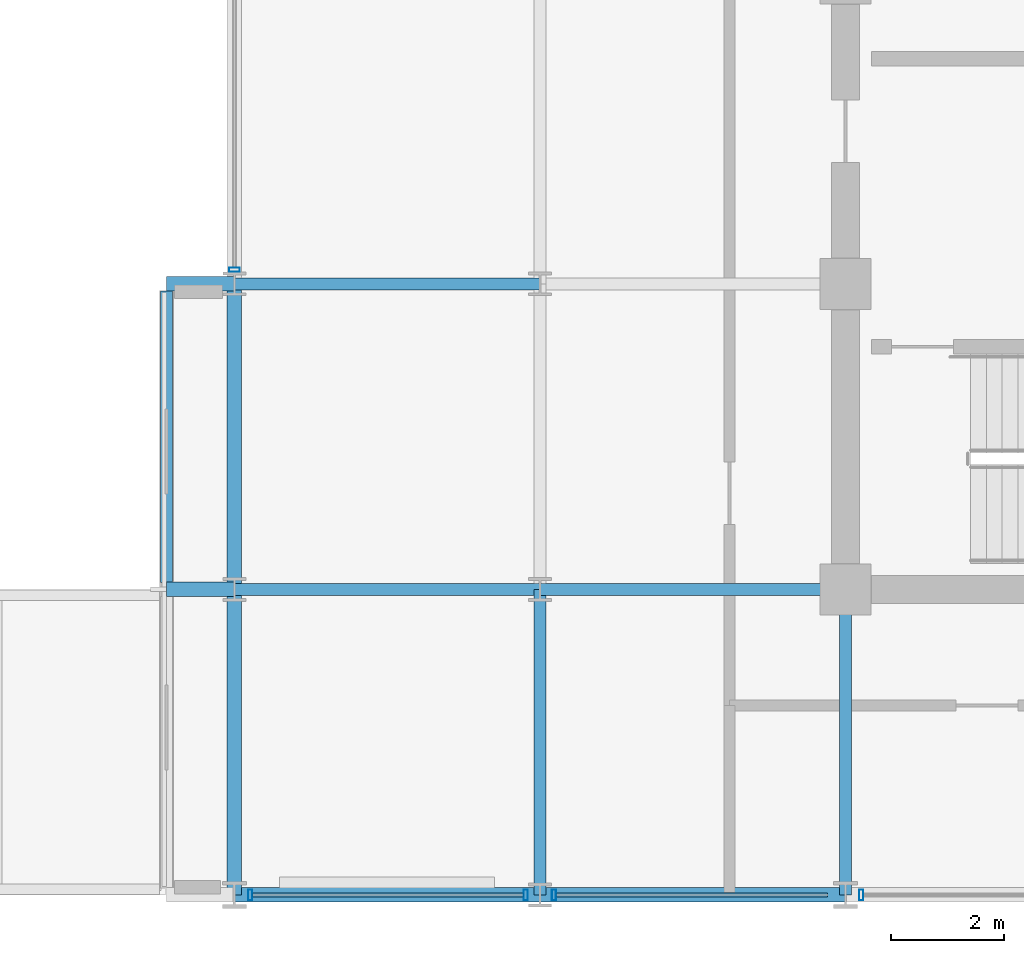
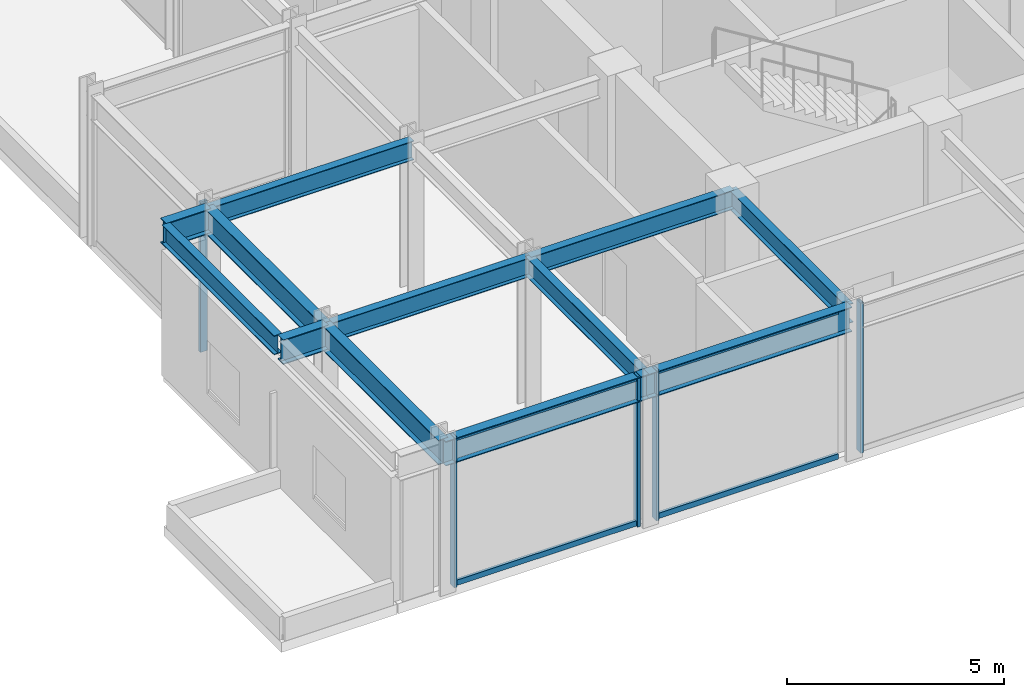
# One storey, part 2 of 21: 12 beams, 9 members, 3 elements without a shape of their own.
"""IFC4 building model written with IfcOpenShell, lengths in metres."""

from ifc_helpers import new_model, si_unit, direction, frame, origin, origin_2d, place, context, subcontext, project, spatial, hollow_rectangle, i_section, extrude, material, layer, layer_set, material_profile, profile_set, type_object, element, aggregate, save


model = new_model("IFC4")

# Units and contexts
model_context = context("Model", 3, precision=1e-05, world=origin(), true_north=direction((0.0, 1.0)))
body_context = subcontext(model_context, "Body", "Model", "MODEL_VIEW")
ifc_project = project(units=[si_unit("LENGTHUNIT", "METRE"), si_unit("AREAUNIT", "SQUARE_METRE"), si_unit("VOLUMEUNIT", "CUBIC_METRE"), si_unit("PLANEANGLEUNIT", "RADIAN"), si_unit("MASSUNIT", "GRAM", prefix="KILO")], contexts=[model_context])

# Site, building, storey
site_placement = place(None, origin())
site = spatial("IfcSite", under=ifc_project, at=site_placement, CompositionType="ELEMENT")
building_placement = place(site_placement, origin())
building = spatial("IfcBuilding", under=site, at=building_placement, Name="Surkhivell Harbour Commons", CompositionType="ELEMENT")
storey_placement = place(building_placement, frame((0.0, 0.0, 346.5)))
storey = spatial("IfcBuildingStorey", under=building, at=storey_placement, Name="L90", CompositionType="ELEMENT", Elevation=346.5)

# Beams
ifc_material_1 = material(Name="Steel S460", Category="steel")
ifc_material_profile_1 = material_profile(ifc_material_1, i_section(OverallWidth=0.256103515625, OverallDepth=0.693115234375, WebThickness=0.014404296875, FlangeThickness=0.023681640625, at=origin_2d()), Name="UB686x254x170")
ifc_profile_set_1 = profile_set([ifc_material_profile_1], Name="Steel S460")
beam_type_1 = type_object("IfcBeamType", Name="BM-CNT-686", PredefinedType="BEAM", material=ifc_profile_set_1)
for number, where, z_axis, x_axis, name in (
    (1, (-21.60009765625, -10.800048828125, 3.87353515625), (-1.0, 0.0, 0.0), (0.0, -1.0, 0.0), "L90 Box Cantilever Outrigger (-21.6,-10.8)"),
    (2, (-21.60009765625, -5.39990234375, 3.87353515625), (-1.0, 0.0, 0.0), (0.0, -1.0, 0.0), "L90 Box Cantilever Outrigger (-21.6,-5.4)"),
):
    element("IfcBeam", number, at=place(storey_placement, frame(where, z_axis=z_axis, x_axis=x_axis)), inside=storey, type_object=beam_type_1, Name=name, PredefinedType="BEAM", context=body_context, shape_type="SweptSolid", body=[
        extrude(i_section(OverallWidth=0.256103515625, OverallDepth=0.693115234375, WebThickness=0.014404296875, FlangeThickness=0.023681640625, at=origin_2d()), origin(), (0.0, 0.0, 1.0), 1.199951171875),
    ])
ifc_material_2 = material(Name="Steel S355", Category="steel")
ifc_material_profile_2 = material_profile(ifc_material_2, i_section(OverallWidth=0.2099609375, OverallDepth=0.537109375, WebThickness=0.0107421875, FlangeThickness=0.017333984375, at=origin_2d()), Name="UB533x210x101")
ifc_profile_set_2 = profile_set([ifc_material_profile_2], Name="Steel S355")
beam_type_2 = type_object("IfcBeamType", Name="BM-GRD-533B", PredefinedType="BEAM", material=ifc_profile_set_2)
for number, where, z_axis, x_axis, name in (
    (3, (-21.60009765625, -10.800048828125, 3.951416015625), (1.0, 0.0, 0.0), (0.0, 1.0, 0.0), "L90 Floor Girder (-21.6,-10.8)"),
    (4, (-21.60009765625, -5.39990234375, 3.951416015625), (1.0, 0.0, 0.0), (0.0, 1.0, 0.0), "L90 Floor Girder (-21.6,-5.4)"),
):
    element("IfcBeam", number, at=place(storey_placement, frame(where, z_axis=z_axis, x_axis=x_axis)), inside=storey, type_object=beam_type_2, Name=name, PredefinedType="BEAM", context=body_context, shape_type="SweptSolid", body=[
        extrude(i_section(OverallWidth=0.2099609375, OverallDepth=0.537109375, WebThickness=0.0107421875, FlangeThickness=0.017333984375, at=origin_2d()), origin(), (0.0, 0.0, 1.0), 5.400146484375),
    ])
for number, where, z_axis, x_axis, name in (
    (5, (-16.199951171875, -16.199951171875, 3.951416015625), (0.0, 1.0, 0.0), (-1.0, 0.0, 0.0), "L90 Floor Girder (-16.2,-16.2)"),
    (6, (-16.199951171875, -10.800048828125, 3.951416015625), (1.0, 0.0, 0.0), (0.0, 1.0, 0.0), "L90 Floor Girder (-16.2,-10.8)"),
    (7, (-10.800048828125, -16.199951171875, 3.951416015625), (0.0, 1.0, 0.0), (-1.0, 0.0, 0.0), "L90 Floor Girder (-10.8,-16.2)"),
):
    element("IfcBeam", number, at=place(storey_placement, frame(where, z_axis=z_axis, x_axis=x_axis)), inside=storey, type_object=beam_type_2, Name=name, PredefinedType="BEAM", context=body_context, shape_type="SweptSolid", body=[
        extrude(i_section(OverallWidth=0.2099609375, OverallDepth=0.537109375, WebThickness=0.0107421875, FlangeThickness=0.017333984375, at=origin_2d()), origin(), (0.0, 0.0, 1.0), 5.39990234375),
    ])
beam_1_placement = place(storey_placement, frame((-22.800048828125, -10.677978515625, 3.951416015625), z_axis=(0.0, 1.0, 0.0), x_axis=(-1.0, 0.0, 0.0)))
element("IfcBeam", 8, at=beam_1_placement, inside=storey, type_object=beam_type_2, Name="L90 Box Rim Spandrel (-22.8,-10.8)", PredefinedType="BEAM", context=body_context, shape_type="SweptSolid", body=[
    extrude(i_section(OverallWidth=0.2099609375, OverallDepth=0.537109375, WebThickness=0.0107421875, FlangeThickness=0.017333984375, at=origin_2d()), origin(), (0.0, 0.0, 1.0), 5.156005859375),
])
ifc_material_profile_3 = material_profile(ifc_material_2, i_section(OverallWidth=0.256103515625, OverallDepth=0.693115234375, WebThickness=0.014404296875, FlangeThickness=0.023681640625, at=origin_2d()), Name="UB686x254x170")
ifc_profile_set_3 = profile_set([ifc_material_profile_3], Name="Steel S355")
beam_type_3 = type_object("IfcBeamType", Name="BM-SPN-686", PredefinedType="SPANDREL", material=ifc_profile_set_3)
beam_2_placement = place(storey_placement, frame((-21.60009765625, -16.199951171875, 3.87353515625), z_axis=(0.0, 1.0, 0.0), x_axis=(-1.0, 0.0, 0.0)))
element("IfcBeam", 9, at=beam_2_placement, inside=storey, type_object=beam_type_3, Name="L90 Tube Spandrel (-21.6,-16.2)", PredefinedType="SPANDREL", context=body_context, shape_type="SweptSolid", body=[
    extrude(i_section(OverallWidth=0.256103515625, OverallDepth=0.693115234375, WebThickness=0.014404296875, FlangeThickness=0.023681640625, at=origin_2d()), origin(), (0.0, 0.0, 1.0), 5.39990234375),
])
for number, where, z_axis, x_axis, name in (
    (10, (-21.60009765625, -16.199951171875, 3.87353515625), (1.0, 0.0, 0.0), (0.0, 1.0, 0.0), "L90 Tube Spandrel (-21.6,-16.2)"),
    (11, (-21.60009765625, -10.800048828125, 3.87353515625), (0.0, 1.0, 0.0), (-1.0, 0.0, 0.0), "L90 Tube Spandrel (-21.6,-10.8)"),
):
    element("IfcBeam", number, at=place(storey_placement, frame(where, z_axis=z_axis, x_axis=x_axis)), inside=storey, type_object=beam_type_3, Name=name, PredefinedType="SPANDREL", context=body_context, shape_type="SweptSolid", body=[
        extrude(i_section(OverallWidth=0.256103515625, OverallDepth=0.693115234375, WebThickness=0.014404296875, FlangeThickness=0.023681640625, at=origin_2d()), origin(), (0.0, 0.0, 1.0), 5.400146484375),
    ])
beam_3_placement = place(storey_placement, frame((-16.199951171875, -16.199951171875, 3.87353515625), z_axis=(1.0, 0.0, 0.0), x_axis=(0.0, 1.0, 0.0)))
element("IfcBeam", 12, at=beam_3_placement, inside=storey, type_object=beam_type_3, Name="L90 Tube Spandrel (-16.2,-16.2)", PredefinedType="SPANDREL", context=body_context, shape_type="SweptSolid", body=[
    extrude(i_section(OverallWidth=0.256103515625, OverallDepth=0.693115234375, WebThickness=0.014404296875, FlangeThickness=0.023681640625, at=origin_2d()), origin(), (0.0, 0.0, 1.0), 5.39990234375),
])

# Curtain wall, member
ifc_material_3 = material(Name="Anodised pale-metal aluminium and insulated glazing", Category="aluminium")
ifc_layer = layer(ifc_material_3, 0.22998046875)
ifc_layer_set = layer_set([ifc_layer], Name="Anodised pale-metal aluminium and insulated glazing")
curtain_wall_type = type_object("IfcCurtainWallType", Name="CW-SYS-CRN", PredefinedType="NOTDEFINED", material=ifc_layer_set)
curtain_wall_1_placement = place(storey_placement, origin())
curtain_wall_1 = element("IfcCurtainWall", 13, at=curtain_wall_1_placement, inside=storey, type_object=curtain_wall_type, Name="L90 Curtain Wall CW-L90-C04S1", PredefinedType="NOTDEFINED")
ifc_material_4 = material(Name="Anodised pale-metal aluminium alloy 6063-T6", Category="aluminium")
ifc_material_profile_4 = material_profile(ifc_material_4, hollow_rectangle(XDim=0.074951171875, YDim=0.18994140625, WallThickness=0.00390625, at=origin_2d()), Name="ALU-MULL-75x190")
ifc_profile_set_4 = profile_set([ifc_material_profile_4], Name="Anodised pale-metal aluminium alloy 6063-T6")
member_type_1 = type_object("IfcMemberType", Name="CWM-190", PredefinedType="MULLION", material=ifc_profile_set_4)
member_1_placement = place(storey_placement, frame((-21.60009765625, -5.150390625, 0.0), z_axis=(0.0, 0.0, 1.0), x_axis=(0.0, -1.0, 0.0)))
member_1 = element("IfcMember", 14, at=member_1_placement, type_object=member_type_1, Name="CW-CRN mullion 2", PredefinedType="MULLION", context=body_context, shape_type="SweptSolid", body=[
    extrude(hollow_rectangle(XDim=0.074951171875, YDim=0.18994140625, WallThickness=0.00390625, at=origin_2d()), origin(), (0.0, 0.0, 1.0), 4.219970703125),
])
aggregate(curtain_wall_1, [member_1])

# Curtain wall, members
curtain_wall_2_placement = place(storey_placement, origin())
curtain_wall_2 = element("IfcCurtainWall", 15, at=curtain_wall_2_placement, inside=storey, type_object=curtain_wall_type, Name="L90 Curtain Wall CW-L90-C05", PredefinedType="NOTDEFINED")
member_2_placement = place(storey_placement, frame((-21.320556640625, -16.199951171875, 0.0), z_axis=(0.0, 0.0, 1.0), x_axis=(1.0, 0.0, 0.0)))
member_2 = element("IfcMember", 16, at=member_2_placement, type_object=member_type_1, Name="CW-CRN mullion 1", PredefinedType="MULLION", context=body_context, shape_type="SweptSolid", body=[
    extrude(hollow_rectangle(XDim=0.074951171875, YDim=0.18994140625, WallThickness=0.00390625, at=origin_2d()), origin(), (0.0, 0.0, 1.0), 4.219970703125),
])
member_3_placement = place(storey_placement, frame((-16.449462890625, -16.199951171875, 0.0), z_axis=(0.0, 0.0, 1.0), x_axis=(1.0, 0.0, 0.0)))
member_3 = element("IfcMember", 17, at=member_3_placement, type_object=member_type_1, Name="CW-CRN mullion 2", PredefinedType="MULLION", context=body_context, shape_type="SweptSolid", body=[
    extrude(hollow_rectangle(XDim=0.074951171875, YDim=0.18994140625, WallThickness=0.00390625, at=origin_2d()), origin(), (0.0, 0.0, 1.0), 4.219970703125),
])

curtain_wall_3_placement = place(storey_placement, origin())
curtain_wall_3 = element("IfcCurtainWall", 18, at=curtain_wall_3_placement, inside=storey, type_object=curtain_wall_type, Name="L90 Curtain Wall CW-L90-C06", PredefinedType="NOTDEFINED")
member_4_placement = place(storey_placement, frame((-15.950439453125, -16.199951171875, 0.0), z_axis=(0.0, 0.0, 1.0), x_axis=(1.0, 0.0, 0.0)))
member_4 = element("IfcMember", 19, at=member_4_placement, type_object=member_type_1, Name="CW-CRN mullion 1", PredefinedType="MULLION", context=body_context, shape_type="SweptSolid", body=[
    extrude(hollow_rectangle(XDim=0.074951171875, YDim=0.18994140625, WallThickness=0.00390625, at=origin_2d()), origin(), (0.0, 0.0, 1.0), 4.219970703125),
])
member_5_placement = place(storey_placement, frame((-10.5205078125, -16.199951171875, 0.0), z_axis=(0.0, 0.0, 1.0), x_axis=(1.0, 0.0, 0.0)))
member_5 = element("IfcMember", 20, at=member_5_placement, type_object=member_type_1, Name="CW-CRN mullion 2", PredefinedType="MULLION", context=body_context, shape_type="SweptSolid", body=[
    extrude(hollow_rectangle(XDim=0.074951171875, YDim=0.18994140625, WallThickness=0.00390625, at=origin_2d()), origin(), (0.0, 0.0, 1.0), 4.219970703125),
])

# Member
ifc_material_profile_5 = material_profile(ifc_material_4, hollow_rectangle(XDim=0.074951171875, YDim=0.14990234375, WallThickness=0.00341796875, at=origin_2d()), Name="ALU-TRAN-75x150")
ifc_profile_set_5 = profile_set([ifc_material_profile_5], Name="Anodised pale-metal aluminium alloy 6063-T6")
member_type_2 = type_object("IfcMemberType", Name="CWT-150", PredefinedType="USERDEFINED", material=ifc_profile_set_5)
member_6_placement = place(storey_placement, frame((-21.282958984375, -16.199951171875, 0.074951171875), z_axis=(1.0, 0.0, 0.0), x_axis=(0.0, 1.0, 0.0)))
member_6 = element("IfcMember", 21, at=member_6_placement, type_object=member_type_2, Name="CW-CRN transom 1.1", ObjectType="TRANSOM", PredefinedType="USERDEFINED", context=body_context, shape_type="SweptSolid", body=[
    extrude(hollow_rectangle(XDim=0.074951171875, YDim=0.14990234375, WallThickness=0.00341796875, at=origin_2d()), origin(), (0.0, 0.0, 1.0), 4.7958984375),
])

member_7_placement = place(storey_placement, frame((-21.282958984375, -16.199951171875, 4.14501953125), z_axis=(1.0, 0.0, 0.0), x_axis=(0.0, 1.0, 0.0)))
member_7 = element("IfcMember", 22, at=member_7_placement, type_object=member_type_2, Name="CW-CRN transom 1.2", ObjectType="TRANSOM", PredefinedType="USERDEFINED", context=body_context, shape_type="SweptSolid", body=[
    extrude(hollow_rectangle(XDim=0.074951171875, YDim=0.14990234375, WallThickness=0.00341796875, at=origin_2d()), origin(), (0.0, 0.0, 1.0), 4.7958984375),
])

aggregate(curtain_wall_2, [member_2, member_3, member_6, member_7])

member_8_placement = place(storey_placement, frame((-15.9130859375, -16.199951171875, 0.074951171875), z_axis=(1.0, 0.0, 0.0), x_axis=(0.0, 1.0, 0.0)))
member_8 = element("IfcMember", 23, at=member_8_placement, type_object=member_type_2, Name="CW-CRN transom 1.1", ObjectType="TRANSOM", PredefinedType="USERDEFINED", context=body_context, shape_type="SweptSolid", body=[
    extrude(hollow_rectangle(XDim=0.074951171875, YDim=0.14990234375, WallThickness=0.00341796875, at=origin_2d()), origin(), (0.0, 0.0, 1.0), 4.796142578125),
])

member_9_placement = place(storey_placement, frame((-15.9130859375, -16.199951171875, 4.14501953125), z_axis=(1.0, 0.0, 0.0), x_axis=(0.0, 1.0, 0.0)))
member_9 = element("IfcMember", 24, at=member_9_placement, type_object=member_type_2, Name="CW-CRN transom 1.2", ObjectType="TRANSOM", PredefinedType="USERDEFINED", context=body_context, shape_type="SweptSolid", body=[
    extrude(hollow_rectangle(XDim=0.074951171875, YDim=0.14990234375, WallThickness=0.00341796875, at=origin_2d()), origin(), (0.0, 0.0, 1.0), 4.796142578125),
])

aggregate(curtain_wall_3, [member_4, member_8, member_9, member_5])

save(model, "model.ifc")
